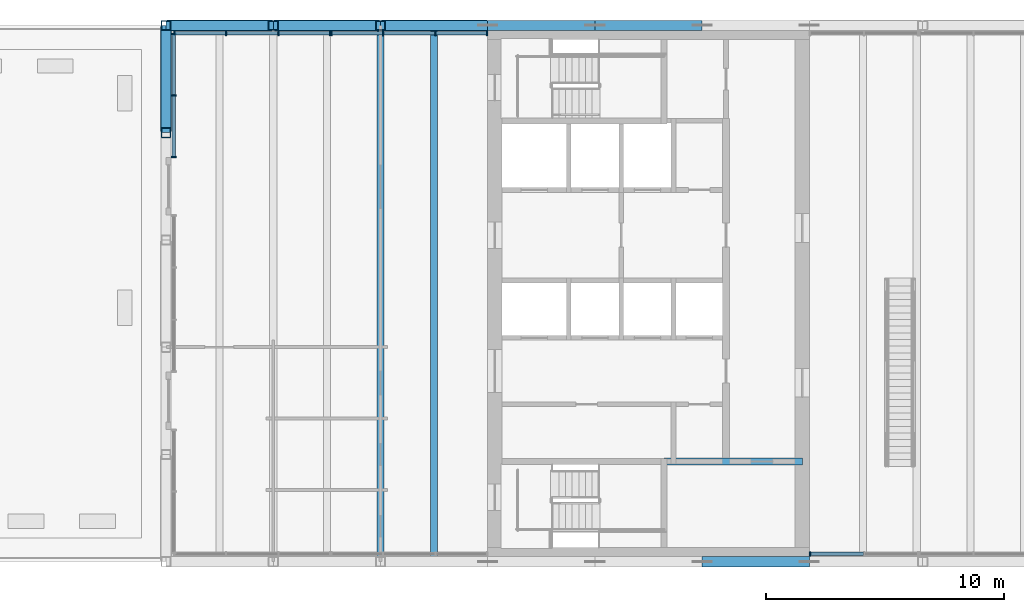
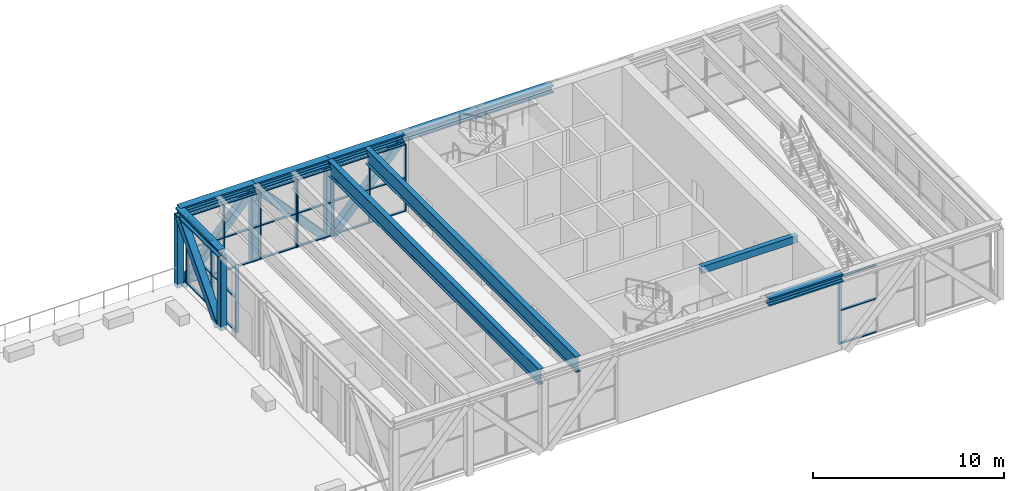
# One storey, part 2 of 13: 54 members, 3 beams, 4 elements without a shape of their own.
"""IFC4 building model written with IfcOpenShell, lengths in metres."""

from ifc_helpers import new_model, si_unit, direction, frame, origin, origin_2d, place, context, subcontext, project, spatial, rectangle, hollow_rectangle, i_section, extrude, material, material_profile, profile_set, type_object, element, aggregate, save


model = new_model("IFC4")

# Units and contexts
model_context = context("Model", 3, precision=1e-05, world=origin(), true_north=direction((0.0, 1.0)))
body_context = subcontext(model_context, "Body", "Model", "MODEL_VIEW")
ifc_project = project(units=[si_unit("LENGTHUNIT", "METRE"), si_unit("AREAUNIT", "SQUARE_METRE"), si_unit("VOLUMEUNIT", "CUBIC_METRE"), si_unit("PLANEANGLEUNIT", "RADIAN"), si_unit("MASSUNIT", "GRAM", prefix="KILO")], contexts=[model_context])

# Site, building, storey
site_placement = place(None, origin())
site = spatial("IfcSite", under=ifc_project, at=site_placement, CompositionType="ELEMENT")
building_placement = place(site_placement, origin())
building = spatial("IfcBuilding", under=site, at=building_placement, Name="Sennacour Bend Tower", CompositionType="ELEMENT")
storey_placement = place(building_placement, frame((0.0, 0.0, 345.5)))
storey = spatial("IfcBuildingStorey", under=building, at=storey_placement, Name="L79", CompositionType="ELEMENT", Elevation=345.5)

# Curtain wall, members
ifc_material_1 = material(Name="Bronze anodised aluminium curtain wall with clear glass", Category="aluminium")
curtain_wall_type = type_object("IfcCurtainWallType", Name="CURTAIN WALL LOUNGE", PredefinedType="NOTDEFINED", material=ifc_material_1)
curtain_wall_1_placement = place(storey_placement, origin())
curtain_wall_1 = element("IfcCurtainWall", 1, at=curtain_wall_1_placement, inside=storey, type_object=curtain_wall_type, Name="Sky lounge glass wall L79", PredefinedType="NOTDEFINED")
ifc_material_2 = material(Name="Aluminium 6063-T6", Category="aluminium")
ifc_material_profile_1 = material_profile(ifc_material_2, rectangle(XDim=0.199951171875, YDim=0.06005859375, at=origin_2d()), Name="Aluminium 6063-T6", Category="aluminium")
ifc_profile_set_1 = profile_set([ifc_material_profile_1], Name="Aluminium 6063-T6")
member_type_1 = type_object("IfcMemberType", Name="CW-MULLION-200X60", PredefinedType="MULLION", material=ifc_profile_set_1)
member_1_placement = place(storey_placement, frame((53.968994140625, 22.175048828125, 0.0), z_axis=(0.0, 0.0, 1.0), x_axis=(0.0, -1.0, 0.0)))
member_1 = element("IfcMember", 2, at=member_1_placement, type_object=member_type_1, Name="GW4 curtain wall mullion 1", PredefinedType="MULLION", context=body_context, shape_type="SweptSolid", body=[
    extrude(rectangle(XDim=0.199951171875, YDim=0.06005859375, at=origin_2d()), origin(), (0.0, 0.0, 1.0), 4.302001953125),
])
member_2_placement = place(storey_placement, frame((51.80322265625, 22.175048828125, 0.0), z_axis=(0.0, 0.0, 1.0), x_axis=(0.0, -1.0, 0.0)))
member_2 = element("IfcMember", 3, at=member_2_placement, type_object=member_type_1, Name="GW4 curtain wall mullion 2", PredefinedType="MULLION", context=body_context, shape_type="SweptSolid", body=[
    extrude(rectangle(XDim=0.199951171875, YDim=0.06005859375, at=origin_2d()), origin(), (0.0, 0.0, 1.0), 4.302001953125),
])
member_3_placement = place(storey_placement, frame((49.607666015625, 22.175048828125, 0.0), z_axis=(0.0, 0.0, 1.0), x_axis=(0.0, -1.0, 0.0)))
member_3 = element("IfcMember", 4, at=member_3_placement, type_object=member_type_1, Name="GW4 curtain wall mullion 3", PredefinedType="MULLION", context=body_context, shape_type="SweptSolid", body=[
    extrude(rectangle(XDim=0.199951171875, YDim=0.06005859375, at=origin_2d()), origin(), (0.0, 0.0, 1.0), 4.302001953125),
])
member_4_placement = place(storey_placement, frame((47.44189453125, 22.175048828125, 0.0), z_axis=(0.0, 0.0, 1.0), x_axis=(0.0, -1.0, 0.0)))
member_4 = element("IfcMember", 5, at=member_4_placement, type_object=member_type_1, Name="GW4 curtain wall mullion 4", PredefinedType="MULLION", context=body_context, shape_type="SweptSolid", body=[
    extrude(rectangle(XDim=0.199951171875, YDim=0.06005859375, at=origin_2d()), origin(), (0.0, 0.0, 1.0), 4.302001953125),
])

curtain_wall_2_placement = place(storey_placement, origin())
curtain_wall_2 = element("IfcCurtainWall", 6, at=curtain_wall_2_placement, inside=storey, type_object=curtain_wall_type, Name="Sky lounge glass wall L79", PredefinedType="NOTDEFINED")
member_5_placement = place(storey_placement, frame((47.382080078125, 22.175048828125, 0.0), z_axis=(0.0, 0.0, 1.0), x_axis=(0.0, -1.0, 0.0)))
member_5 = element("IfcMember", 7, at=member_5_placement, type_object=member_type_1, Name="GW4 curtain wall mullion 1", PredefinedType="MULLION", context=body_context, shape_type="SweptSolid", body=[
    extrude(rectangle(XDim=0.199951171875, YDim=0.06005859375, at=origin_2d()), origin(), (0.0, 0.0, 1.0), 4.302001953125),
])
member_6_placement = place(storey_placement, frame((45.21630859375, 22.175048828125, 0.0), z_axis=(0.0, 0.0, 1.0), x_axis=(0.0, -1.0, 0.0)))
member_6 = element("IfcMember", 8, at=member_6_placement, type_object=member_type_1, Name="GW4 curtain wall mullion 2", PredefinedType="MULLION", context=body_context, shape_type="SweptSolid", body=[
    extrude(rectangle(XDim=0.199951171875, YDim=0.06005859375, at=origin_2d()), origin(), (0.0, 0.0, 1.0), 4.302001953125),
])
member_7_placement = place(storey_placement, frame((43.020751953125, 22.175048828125, 0.0), z_axis=(0.0, 0.0, 1.0), x_axis=(0.0, -1.0, 0.0)))
member_7 = element("IfcMember", 9, at=member_7_placement, type_object=member_type_1, Name="GW4 curtain wall mullion 3", PredefinedType="MULLION", context=body_context, shape_type="SweptSolid", body=[
    extrude(rectangle(XDim=0.199951171875, YDim=0.06005859375, at=origin_2d()), origin(), (0.0, 0.0, 1.0), 4.302001953125),
])
member_8_placement = place(storey_placement, frame((40.85498046875, 22.175048828125, 0.0), z_axis=(0.0, 0.0, 1.0), x_axis=(0.0, -1.0, 0.0)))
member_8 = element("IfcMember", 10, at=member_8_placement, type_object=member_type_1, Name="GW4 curtain wall mullion 4", PredefinedType="MULLION", context=body_context, shape_type="SweptSolid", body=[
    extrude(rectangle(XDim=0.199951171875, YDim=0.06005859375, at=origin_2d()), origin(), (0.0, 0.0, 1.0), 4.302001953125),
])

curtain_wall_3_placement = place(storey_placement, origin())
curtain_wall_3 = element("IfcCurtainWall", 11, at=curtain_wall_3_placement, inside=storey, type_object=curtain_wall_type, Name="Sky lounge glass wall L79", PredefinedType="NOTDEFINED")
member_9_placement = place(storey_placement, frame((40.824951171875, 16.97998046875, 0.0), z_axis=(0.0, 0.0, 1.0), x_axis=(-1.0, 0.0, 0.0)))
member_9 = element("IfcMember", 12, at=member_9_placement, type_object=member_type_1, Name="GW4 curtain wall mullion 1", PredefinedType="MULLION", context=body_context, shape_type="SweptSolid", body=[
    extrude(rectangle(XDim=0.199951171875, YDim=0.06005859375, at=origin_2d()), origin(), (0.0, 0.0, 1.0), 4.302001953125),
])
member_10_placement = place(storey_placement, frame((40.824951171875, 19.5625, 0.0), z_axis=(0.0, 0.0, 1.0), x_axis=(-1.0, 0.0, 0.0)))
member_10 = element("IfcMember", 13, at=member_10_placement, type_object=member_type_1, Name="GW4 curtain wall mullion 2", PredefinedType="MULLION", context=body_context, shape_type="SweptSolid", body=[
    extrude(rectangle(XDim=0.199951171875, YDim=0.06005859375, at=origin_2d()), origin(), (0.0, 0.0, 1.0), 4.302001953125),
])
member_11_placement = place(storey_placement, frame((40.824951171875, 22.14501953125, 0.0), z_axis=(0.0, 0.0, 1.0), x_axis=(-1.0, 0.0, 0.0)))
member_11 = element("IfcMember", 14, at=member_11_placement, type_object=member_type_1, Name="GW4 curtain wall mullion 3", PredefinedType="MULLION", context=body_context, shape_type="SweptSolid", body=[
    extrude(rectangle(XDim=0.199951171875, YDim=0.06005859375, at=origin_2d()), origin(), (0.0, 0.0, 1.0), 4.302001953125),
])

# Curtain wall, member
curtain_wall_4_placement = place(storey_placement, origin())
curtain_wall_4 = element("IfcCurtainWall", 15, at=curtain_wall_4_placement, inside=storey, type_object=curtain_wall_type, Name="Sky lounge glass wall L79", PredefinedType="NOTDEFINED")
member_12_placement = place(storey_placement, frame((67.531005859375, 0.324951171875, 0.0), z_axis=(0.0, 0.0, 1.0), x_axis=(0.0, 1.0, 0.0)))
member_12 = element("IfcMember", 16, at=member_12_placement, type_object=member_type_1, Name="GW4 curtain wall mullion 1", PredefinedType="MULLION", context=body_context, shape_type="SweptSolid", body=[
    extrude(rectangle(XDim=0.199951171875, YDim=0.06005859375, at=origin_2d()), origin(), (0.0, 0.0, 1.0), 4.302001953125),
])

# Member
ifc_material_profile_2 = material_profile(ifc_material_2, rectangle(XDim=0.14990234375, YDim=0.06005859375, at=origin_2d()), Name="Aluminium 6063-T6", Category="aluminium")
ifc_profile_set_2 = profile_set([ifc_material_profile_2], Name="Aluminium 6063-T6")
member_type_2 = type_object("IfcMemberType", Name="CW-TRANSOM-150X60", PredefinedType="USERDEFINED", material=ifc_profile_set_2)
member_13_placement = place(storey_placement, frame((53.93896484375, 22.175048828125, 0.030029296875), z_axis=(-1.0, 0.0, 0.0), x_axis=(0.0, -1.0, 0.0)))
member_13 = element("IfcMember", 17, at=member_13_placement, type_object=member_type_2, Name="GW4 curtain wall transom 1.1", ObjectType="TRANSOM", PredefinedType="USERDEFINED", context=body_context, shape_type="SweptSolid", body=[
    extrude(rectangle(XDim=0.14990234375, YDim=0.06005859375, at=origin_2d()), origin(), (0.0, 0.0, 1.0), 2.105712890625),
])

member_14_placement = place(storey_placement, frame((53.93896484375, 22.175048828125, 2.15087890625), z_axis=(-1.0, 0.0, 0.0), x_axis=(0.0, -1.0, 0.0)))
member_14 = element("IfcMember", 18, at=member_14_placement, type_object=member_type_2, Name="GW4 curtain wall transom 1.2", ObjectType="TRANSOM", PredefinedType="USERDEFINED", context=body_context, shape_type="SweptSolid", body=[
    extrude(rectangle(XDim=0.14990234375, YDim=0.06005859375, at=origin_2d()), origin(), (0.0, 0.0, 1.0), 2.105712890625),
])

member_15_placement = place(storey_placement, frame((53.93896484375, 22.175048828125, 4.27197265625), z_axis=(-1.0, 0.0, 0.0), x_axis=(0.0, -1.0, 0.0)))
member_15 = element("IfcMember", 19, at=member_15_placement, type_object=member_type_2, Name="GW4 curtain wall transom 1.3", ObjectType="TRANSOM", PredefinedType="USERDEFINED", context=body_context, shape_type="SweptSolid", body=[
    extrude(rectangle(XDim=0.14990234375, YDim=0.06005859375, at=origin_2d()), origin(), (0.0, 0.0, 1.0), 2.105712890625),
])

member_16_placement = place(storey_placement, frame((51.7734375, 22.175048828125, 0.030029296875), z_axis=(-1.0, 0.0, 0.0), x_axis=(0.0, -1.0, 0.0)))
member_16 = element("IfcMember", 20, at=member_16_placement, type_object=member_type_2, Name="GW4 curtain wall transom 2.1", ObjectType="TRANSOM", PredefinedType="USERDEFINED", context=body_context, shape_type="SweptSolid", body=[
    extrude(rectangle(XDim=0.14990234375, YDim=0.06005859375, at=origin_2d()), origin(), (0.0, 0.0, 1.0), 2.1357421875),
])

member_17_placement = place(storey_placement, frame((51.7734375, 22.175048828125, 2.15087890625), z_axis=(-1.0, 0.0, 0.0), x_axis=(0.0, -1.0, 0.0)))
member_17 = element("IfcMember", 21, at=member_17_placement, type_object=member_type_2, Name="GW4 curtain wall transom 2.2", ObjectType="TRANSOM", PredefinedType="USERDEFINED", context=body_context, shape_type="SweptSolid", body=[
    extrude(rectangle(XDim=0.14990234375, YDim=0.06005859375, at=origin_2d()), origin(), (0.0, 0.0, 1.0), 2.1357421875),
])

member_18_placement = place(storey_placement, frame((51.7734375, 22.175048828125, 4.27197265625), z_axis=(-1.0, 0.0, 0.0), x_axis=(0.0, -1.0, 0.0)))
member_18 = element("IfcMember", 22, at=member_18_placement, type_object=member_type_2, Name="GW4 curtain wall transom 2.3", ObjectType="TRANSOM", PredefinedType="USERDEFINED", context=body_context, shape_type="SweptSolid", body=[
    extrude(rectangle(XDim=0.14990234375, YDim=0.06005859375, at=origin_2d()), origin(), (0.0, 0.0, 1.0), 2.1357421875),
])

member_19_placement = place(storey_placement, frame((49.57763671875, 22.175048828125, 0.030029296875), z_axis=(-1.0, 0.0, 0.0), x_axis=(0.0, -1.0, 0.0)))
member_19 = element("IfcMember", 23, at=member_19_placement, type_object=member_type_2, Name="GW4 curtain wall transom 3.1", ObjectType="TRANSOM", PredefinedType="USERDEFINED", context=body_context, shape_type="SweptSolid", body=[
    extrude(rectangle(XDim=0.14990234375, YDim=0.06005859375, at=origin_2d()), origin(), (0.0, 0.0, 1.0), 2.105712890625),
])

member_20_placement = place(storey_placement, frame((49.57763671875, 22.175048828125, 2.15087890625), z_axis=(-1.0, 0.0, 0.0), x_axis=(0.0, -1.0, 0.0)))
member_20 = element("IfcMember", 24, at=member_20_placement, type_object=member_type_2, Name="GW4 curtain wall transom 3.2", ObjectType="TRANSOM", PredefinedType="USERDEFINED", context=body_context, shape_type="SweptSolid", body=[
    extrude(rectangle(XDim=0.14990234375, YDim=0.06005859375, at=origin_2d()), origin(), (0.0, 0.0, 1.0), 2.105712890625),
])

member_21_placement = place(storey_placement, frame((49.57763671875, 22.175048828125, 4.27197265625), z_axis=(-1.0, 0.0, 0.0), x_axis=(0.0, -1.0, 0.0)))
member_21 = element("IfcMember", 25, at=member_21_placement, type_object=member_type_2, Name="GW4 curtain wall transom 3.3", ObjectType="TRANSOM", PredefinedType="USERDEFINED", context=body_context, shape_type="SweptSolid", body=[
    extrude(rectangle(XDim=0.14990234375, YDim=0.06005859375, at=origin_2d()), origin(), (0.0, 0.0, 1.0), 2.105712890625),
])

aggregate(curtain_wall_1, [member_1, member_2, member_3, member_4, member_13, member_14, member_15, member_16, member_17, member_18, member_19, member_20, member_21])

member_22_placement = place(storey_placement, frame((47.35205078125, 22.175048828125, 0.030029296875), z_axis=(-1.0, 0.0, 0.0), x_axis=(0.0, -1.0, 0.0)))
member_22 = element("IfcMember", 26, at=member_22_placement, type_object=member_type_2, Name="GW4 curtain wall transom 1.1", ObjectType="TRANSOM", PredefinedType="USERDEFINED", context=body_context, shape_type="SweptSolid", body=[
    extrude(rectangle(XDim=0.14990234375, YDim=0.06005859375, at=origin_2d()), origin(), (0.0, 0.0, 1.0), 2.105712890625),
])

member_23_placement = place(storey_placement, frame((47.35205078125, 22.175048828125, 2.15087890625), z_axis=(-1.0, 0.0, 0.0), x_axis=(0.0, -1.0, 0.0)))
member_23 = element("IfcMember", 27, at=member_23_placement, type_object=member_type_2, Name="GW4 curtain wall transom 1.2", ObjectType="TRANSOM", PredefinedType="USERDEFINED", context=body_context, shape_type="SweptSolid", body=[
    extrude(rectangle(XDim=0.14990234375, YDim=0.06005859375, at=origin_2d()), origin(), (0.0, 0.0, 1.0), 2.105712890625),
])

member_24_placement = place(storey_placement, frame((47.35205078125, 22.175048828125, 4.27197265625), z_axis=(-1.0, 0.0, 0.0), x_axis=(0.0, -1.0, 0.0)))
member_24 = element("IfcMember", 28, at=member_24_placement, type_object=member_type_2, Name="GW4 curtain wall transom 1.3", ObjectType="TRANSOM", PredefinedType="USERDEFINED", context=body_context, shape_type="SweptSolid", body=[
    extrude(rectangle(XDim=0.14990234375, YDim=0.06005859375, at=origin_2d()), origin(), (0.0, 0.0, 1.0), 2.105712890625),
])

member_25_placement = place(storey_placement, frame((45.186279296875, 22.175048828125, 0.030029296875), z_axis=(-1.0, 0.0, 0.0), x_axis=(0.0, -1.0, 0.0)))
member_25 = element("IfcMember", 29, at=member_25_placement, type_object=member_type_2, Name="GW4 curtain wall transom 2.1", ObjectType="TRANSOM", PredefinedType="USERDEFINED", context=body_context, shape_type="SweptSolid", body=[
    extrude(rectangle(XDim=0.14990234375, YDim=0.06005859375, at=origin_2d()), origin(), (0.0, 0.0, 1.0), 2.135498046875),
])

member_26_placement = place(storey_placement, frame((45.186279296875, 22.175048828125, 2.15087890625), z_axis=(-1.0, 0.0, 0.0), x_axis=(0.0, -1.0, 0.0)))
member_26 = element("IfcMember", 30, at=member_26_placement, type_object=member_type_2, Name="GW4 curtain wall transom 2.2", ObjectType="TRANSOM", PredefinedType="USERDEFINED", context=body_context, shape_type="SweptSolid", body=[
    extrude(rectangle(XDim=0.14990234375, YDim=0.06005859375, at=origin_2d()), origin(), (0.0, 0.0, 1.0), 2.135498046875),
])

member_27_placement = place(storey_placement, frame((45.186279296875, 22.175048828125, 4.27197265625), z_axis=(-1.0, 0.0, 0.0), x_axis=(0.0, -1.0, 0.0)))
member_27 = element("IfcMember", 31, at=member_27_placement, type_object=member_type_2, Name="GW4 curtain wall transom 2.3", ObjectType="TRANSOM", PredefinedType="USERDEFINED", context=body_context, shape_type="SweptSolid", body=[
    extrude(rectangle(XDim=0.14990234375, YDim=0.06005859375, at=origin_2d()), origin(), (0.0, 0.0, 1.0), 2.135498046875),
])

member_28_placement = place(storey_placement, frame((42.99072265625, 22.175048828125, 0.030029296875), z_axis=(-1.0, 0.0, 0.0), x_axis=(0.0, -1.0, 0.0)))
member_28 = element("IfcMember", 32, at=member_28_placement, type_object=member_type_2, Name="GW4 curtain wall transom 3.1", ObjectType="TRANSOM", PredefinedType="USERDEFINED", context=body_context, shape_type="SweptSolid", body=[
    extrude(rectangle(XDim=0.14990234375, YDim=0.06005859375, at=origin_2d()), origin(), (0.0, 0.0, 1.0), 2.105712890625),
])

member_29_placement = place(storey_placement, frame((42.99072265625, 22.175048828125, 2.15087890625), z_axis=(-1.0, 0.0, 0.0), x_axis=(0.0, -1.0, 0.0)))
member_29 = element("IfcMember", 33, at=member_29_placement, type_object=member_type_2, Name="GW4 curtain wall transom 3.2", ObjectType="TRANSOM", PredefinedType="USERDEFINED", context=body_context, shape_type="SweptSolid", body=[
    extrude(rectangle(XDim=0.14990234375, YDim=0.06005859375, at=origin_2d()), origin(), (0.0, 0.0, 1.0), 2.105712890625),
])

member_30_placement = place(storey_placement, frame((42.99072265625, 22.175048828125, 4.27197265625), z_axis=(-1.0, 0.0, 0.0), x_axis=(0.0, -1.0, 0.0)))
member_30 = element("IfcMember", 34, at=member_30_placement, type_object=member_type_2, Name="GW4 curtain wall transom 3.3", ObjectType="TRANSOM", PredefinedType="USERDEFINED", context=body_context, shape_type="SweptSolid", body=[
    extrude(rectangle(XDim=0.14990234375, YDim=0.06005859375, at=origin_2d()), origin(), (0.0, 0.0, 1.0), 2.105712890625),
])

aggregate(curtain_wall_2, [member_5, member_6, member_7, member_8, member_22, member_23, member_24, member_25, member_26, member_27, member_28, member_29, member_30])

member_31_placement = place(storey_placement, frame((40.824951171875, 17.010009765625, 0.030029296875), z_axis=(0.0, 1.0, 0.0), x_axis=(-1.0, 0.0, 0.0)))
member_31 = element("IfcMember", 35, at=member_31_placement, type_object=member_type_2, Name="GW4 curtain wall transom 1.1", ObjectType="TRANSOM", PredefinedType="USERDEFINED", context=body_context, shape_type="SweptSolid", body=[
    extrude(rectangle(XDim=0.14990234375, YDim=0.06005859375, at=origin_2d()), origin(), (0.0, 0.0, 1.0), 2.5224609375),
])

member_32_placement = place(storey_placement, frame((40.824951171875, 17.010009765625, 2.15087890625), z_axis=(0.0, 1.0, 0.0), x_axis=(-1.0, 0.0, 0.0)))
member_32 = element("IfcMember", 36, at=member_32_placement, type_object=member_type_2, Name="GW4 curtain wall transom 1.2", ObjectType="TRANSOM", PredefinedType="USERDEFINED", context=body_context, shape_type="SweptSolid", body=[
    extrude(rectangle(XDim=0.14990234375, YDim=0.06005859375, at=origin_2d()), origin(), (0.0, 0.0, 1.0), 2.5224609375),
])

member_33_placement = place(storey_placement, frame((40.824951171875, 17.010009765625, 4.27197265625), z_axis=(0.0, 1.0, 0.0), x_axis=(-1.0, 0.0, 0.0)))
member_33 = element("IfcMember", 37, at=member_33_placement, type_object=member_type_2, Name="GW4 curtain wall transom 1.3", ObjectType="TRANSOM", PredefinedType="USERDEFINED", context=body_context, shape_type="SweptSolid", body=[
    extrude(rectangle(XDim=0.14990234375, YDim=0.06005859375, at=origin_2d()), origin(), (0.0, 0.0, 1.0), 2.5224609375),
])

member_34_placement = place(storey_placement, frame((40.824951171875, 19.592529296875, 0.030029296875), z_axis=(0.0, 1.0, 0.0), x_axis=(-1.0, 0.0, 0.0)))
member_34 = element("IfcMember", 38, at=member_34_placement, type_object=member_type_2, Name="GW4 curtain wall transom 2.1", ObjectType="TRANSOM", PredefinedType="USERDEFINED", context=body_context, shape_type="SweptSolid", body=[
    extrude(rectangle(XDim=0.14990234375, YDim=0.06005859375, at=origin_2d()), origin(), (0.0, 0.0, 1.0), 2.5224609375),
])

member_35_placement = place(storey_placement, frame((40.824951171875, 19.592529296875, 2.15087890625), z_axis=(0.0, 1.0, 0.0), x_axis=(-1.0, 0.0, 0.0)))
member_35 = element("IfcMember", 39, at=member_35_placement, type_object=member_type_2, Name="GW4 curtain wall transom 2.2", ObjectType="TRANSOM", PredefinedType="USERDEFINED", context=body_context, shape_type="SweptSolid", body=[
    extrude(rectangle(XDim=0.14990234375, YDim=0.06005859375, at=origin_2d()), origin(), (0.0, 0.0, 1.0), 2.5224609375),
])

member_36_placement = place(storey_placement, frame((40.824951171875, 19.592529296875, 4.27197265625), z_axis=(0.0, 1.0, 0.0), x_axis=(-1.0, 0.0, 0.0)))
member_36 = element("IfcMember", 40, at=member_36_placement, type_object=member_type_2, Name="GW4 curtain wall transom 2.3", ObjectType="TRANSOM", PredefinedType="USERDEFINED", context=body_context, shape_type="SweptSolid", body=[
    extrude(rectangle(XDim=0.14990234375, YDim=0.06005859375, at=origin_2d()), origin(), (0.0, 0.0, 1.0), 2.5224609375),
])

aggregate(curtain_wall_3, [member_9, member_10, member_11, member_31, member_32, member_33, member_34, member_35, member_36])

member_37_placement = place(storey_placement, frame((67.56103515625, 0.324951171875, 0.030029296875), z_axis=(1.0, 0.0, 0.0), x_axis=(0.0, 1.0, 0.0)))
member_37 = element("IfcMember", 41, at=member_37_placement, type_object=member_type_2, Name="GW4 curtain wall transom 1.1", ObjectType="TRANSOM", PredefinedType="USERDEFINED", context=body_context, shape_type="SweptSolid", body=[
    extrude(rectangle(XDim=0.14990234375, YDim=0.06005859375, at=origin_2d()), origin(), (0.0, 0.0, 1.0), 2.203369140625),
])

member_38_placement = place(storey_placement, frame((67.56103515625, 0.324951171875, 2.15087890625), z_axis=(1.0, 0.0, 0.0), x_axis=(0.0, 1.0, 0.0)))
member_38 = element("IfcMember", 42, at=member_38_placement, type_object=member_type_2, Name="GW4 curtain wall transom 1.2", ObjectType="TRANSOM", PredefinedType="USERDEFINED", context=body_context, shape_type="SweptSolid", body=[
    extrude(rectangle(XDim=0.14990234375, YDim=0.06005859375, at=origin_2d()), origin(), (0.0, 0.0, 1.0), 2.203369140625),
])

member_39_placement = place(storey_placement, frame((67.56103515625, 0.324951171875, 4.27197265625), z_axis=(1.0, 0.0, 0.0), x_axis=(0.0, 1.0, 0.0)))
member_39 = element("IfcMember", 43, at=member_39_placement, type_object=member_type_2, Name="GW4 curtain wall transom 1.3", ObjectType="TRANSOM", PredefinedType="USERDEFINED", context=body_context, shape_type="SweptSolid", body=[
    extrude(rectangle(XDim=0.14990234375, YDim=0.06005859375, at=origin_2d()), origin(), (0.0, 0.0, 1.0), 2.203369140625),
])

aggregate(curtain_wall_4, [member_12, member_37, member_38, member_39])

# Beams
ifc_material_3 = material(Name="Steel ASTM A992 Grade 50", Category="steel")
ifc_material_profile_3 = material_profile(ifc_material_3, i_section(OverallWidth=0.300048828125, OverallDepth=0.990966796875, WebThickness=0.0166015625, FlangeThickness=0.030517578125, FilletRadius=0.030029296875, at=origin_2d()), Name="Steel ASTM A992 Grade 50", Category="steel")
ifc_profile_set_3 = profile_set([ifc_material_profile_3], Name="Steel ASTM A992 Grade 50")
beam_type_1 = type_object("IfcBeamType", Name="Floor beam W1000X272", PredefinedType="BEAM", material=ifc_profile_set_3)
for number, where, z_axis, x_axis, name in (
    (44, (49.5, 0.216064453125, 4.304443359375), (0.0, 1.0, 0.0), (-1.0, 0.0, 0.0), "Floor beam FBM3 L80-004"),
    (45, (51.75, 0.216064453125, 4.304443359375), (0.0, 1.0, 0.0), (-1.0, 0.0, 0.0), "Floor beam FBM3 L80-005"),
):
    element("IfcBeam", number, at=place(storey_placement, frame(where, z_axis=z_axis, x_axis=x_axis)), inside=storey, type_object=beam_type_1, Name=name, PredefinedType="BEAM", context=body_context, shape_type="SweptSolid", body=[
        extrude(i_section(OverallWidth=0.300048828125, OverallDepth=0.990966796875, WebThickness=0.0166015625, FlangeThickness=0.030517578125, FilletRadius=0.030029296875, at=origin_2d()), origin(), (0.0, 0.0, 1.0), 22.06787109375),
    ])

# Members
ifc_material_profile_4 = material_profile(ifc_material_3, i_section(OverallWidth=0.431884765625, OverallDepth=0.498046875, WebThickness=0.0556640625, FlangeThickness=0.0888671875, FilletRadius=0.01513671875, at=origin_2d()), Name="Steel ASTM A992 Grade 50", Category="steel")
ifc_profile_set_4 = profile_set([ifc_material_profile_4], Name="Steel ASTM A992 Grade 50")
member_type_3 = type_object("IfcMemberType", Name="Lounge truss chord W360X744", PredefinedType="CHORD", material=ifc_profile_set_4)
for number, where, z_axis, x_axis, name in (
    (46, (63.0, 0.0, 4.551025390625), (1.0, 0.0, 0.0), (0.0, 1.0, 0.0), "Lounge truss chord LTC L80-006"),
    (47, (40.5, 22.5, 4.551025390625), (1.0, 0.0, 0.0), (0.0, 1.0, 0.0), "Lounge truss chord LTC L80-009"),
    (48, (45.0, 22.5, 4.551025390625), (1.0, 0.0, 0.0), (0.0, 1.0, 0.0), "Lounge truss chord LTC L80-010"),
    (49, (49.5, 22.5, 4.551025390625), (1.0, 0.0, 0.0), (0.0, 1.0, 0.0), "Lounge truss chord LTC L80-011"),
    (50, (54.0, 22.5, 4.551025390625), (1.0, 0.0, 0.0), (0.0, 1.0, 0.0), "Lounge truss chord LTC L80-012"),
    (51, (58.5, 22.5, 4.551025390625), (1.0, 0.0, 0.0), (0.0, 1.0, 0.0), "Lounge truss chord LTC L80-013"),
    (52, (40.5, 18.0, 4.551025390625), (0.0, 1.0, 0.0), (-1.0, 0.0, 0.0), "Lounge truss chord LTC L80-021"),
):
    element("IfcMember", number, at=place(storey_placement, frame(where, z_axis=z_axis, x_axis=x_axis)), inside=storey, type_object=member_type_3, Name=name, PredefinedType="CHORD", context=body_context, shape_type="SweptSolid", body=[
        extrude(i_section(OverallWidth=0.431884765625, OverallDepth=0.498046875, WebThickness=0.0556640625, FlangeThickness=0.0888671875, FilletRadius=0.01513671875, at=origin_2d()), origin(), (0.0, 0.0, 1.0), 4.5),
    ])
ifc_material_4 = material(Name="Steel ASTM A500 Grade C", Category="steel")
ifc_material_profile_5 = material_profile(ifc_material_4, hollow_rectangle(XDim=0.457275390625, YDim=0.457275390625, WallThickness=0.015869140625, InnerFilletRadius=0.015869140625, OuterFilletRadius=0.03173828125, at=origin_2d()), Name="Steel ASTM A500 Grade C", Category="steel")
ifc_profile_set_5 = profile_set([ifc_material_profile_5], Name="Steel ASTM A500 Grade C")
member_type_4 = type_object("IfcMemberType", Name="Lounge truss diagonal 457", PredefinedType="BRACE", material=ifc_profile_set_5)
member_40_placement = place(storey_placement, frame((40.703125, 22.5, -0.25), z_axis=(0.668689278982, 0.0, 0.743541961273), x_axis=(0.0, 1.0, 0.0)))
element("IfcMember", 53, at=member_40_placement, inside=storey, type_object=member_type_4, Name="Lounge truss diagonal LD L79-006", PredefinedType="BRACE", context=body_context, shape_type="SweptSolid", body=[
    extrude(hollow_rectangle(XDim=0.457275390625, YDim=0.457275390625, WallThickness=0.015869140625, InnerFilletRadius=0.015869140625, OuterFilletRadius=0.03173828125, at=origin_2d()), origin(), (0.0, 0.0, 1.0), 6.1220703125),
])
for number, where, z_axis, x_axis, name in (
    (54, (45.203125, 22.5, 4.302001953125), (0.672768645858, 0.0, -0.739852923999), (0.0, 1.0, 0.0), "Lounge truss diagonal LD L79-007"),
    (55, (49.703125, 22.5, -0.199951171875), (0.672768645858, 0.0, 0.739852923999), (0.0, 1.0, 0.0), "Lounge truss diagonal LD L79-008"),
):
    element("IfcMember", number, at=place(storey_placement, frame(where, z_axis=z_axis, x_axis=x_axis)), inside=storey, type_object=member_type_4, Name=name, PredefinedType="BRACE", context=body_context, shape_type="SweptSolid", body=[
        extrude(hollow_rectangle(XDim=0.457275390625, YDim=0.457275390625, WallThickness=0.015869140625, InnerFilletRadius=0.015869140625, OuterFilletRadius=0.03173828125, at=origin_2d()), origin(), (0.0, 0.0, 1.0), 6.0849609375),
    ])
member_41_placement = place(storey_placement, frame((40.5, 18.203125, -0.25), z_axis=(0.0, 0.668689278982, 0.743541961273), x_axis=(-1.0, 0.0, 0.0)))
element("IfcMember", 56, at=member_41_placement, inside=storey, type_object=member_type_4, Name="Lounge truss diagonal LD L79-013", PredefinedType="BRACE", context=body_context, shape_type="SweptSolid", body=[
    extrude(hollow_rectangle(XDim=0.457275390625, YDim=0.457275390625, WallThickness=0.015869140625, InnerFilletRadius=0.015869140625, OuterFilletRadius=0.03173828125, at=origin_2d()), origin(), (0.0, 0.0, 1.0), 6.1220703125),
])
ifc_material_profile_6 = material_profile(ifc_material_4, hollow_rectangle(XDim=0.406494140625, YDim=0.406494140625, WallThickness=0.01904296875, InnerFilletRadius=0.01904296875, OuterFilletRadius=0.0380859375, at=origin_2d()), Name="Steel ASTM A500 Grade C", Category="steel")
ifc_profile_set_6 = profile_set([ifc_material_profile_6], Name="Steel ASTM A500 Grade C")
member_type_5 = type_object("IfcMemberType", Name="Lounge truss post 406", PredefinedType="POST", material=ifc_profile_set_6)
member_42_placement = place(storey_placement, frame((40.5, 22.5, -0.25), z_axis=(0.0, 0.0, 1.0), x_axis=(1.0, 0.0, 0.0)))
element("IfcMember", 57, at=member_42_placement, inside=storey, type_object=member_type_5, Name="Lounge truss post LP L79-006", PredefinedType="POST", context=body_context, shape_type="SweptSolid", body=[
    extrude(hollow_rectangle(XDim=0.406494140625, YDim=0.406494140625, WallThickness=0.01904296875, InnerFilletRadius=0.01904296875, OuterFilletRadius=0.0380859375, at=origin_2d()), origin(), (0.0, 0.0, 1.0), 4.552001953125),
])
for number, where, z_axis, x_axis, name in (
    (58, (45.0, 22.5, -0.199951171875), (0.0, 0.0, 1.0), (1.0, 0.0, 0.0), "Lounge truss post LP L79-007"),
    (59, (49.5, 22.5, -0.199951171875), (0.0, 0.0, 1.0), (1.0, 0.0, 0.0), "Lounge truss post LP L79-008"),
):
    element("IfcMember", number, at=place(storey_placement, frame(where, z_axis=z_axis, x_axis=x_axis)), inside=storey, type_object=member_type_5, Name=name, PredefinedType="POST", context=body_context, shape_type="SweptSolid", body=[
        extrude(hollow_rectangle(XDim=0.406494140625, YDim=0.406494140625, WallThickness=0.01904296875, InnerFilletRadius=0.01904296875, OuterFilletRadius=0.0380859375, at=origin_2d()), origin(), (0.0, 0.0, 1.0), 4.501953125),
    ])
member_43_placement = place(storey_placement, frame((40.5, 18.0, -0.25), z_axis=(0.0, 0.0, 1.0), x_axis=(1.0, 0.0, 0.0)))
element("IfcMember", 60, at=member_43_placement, inside=storey, type_object=member_type_5, Name="Lounge truss post LP L79-014", PredefinedType="POST", context=body_context, shape_type="SweptSolid", body=[
    extrude(hollow_rectangle(XDim=0.406494140625, YDim=0.406494140625, WallThickness=0.01904296875, InnerFilletRadius=0.01904296875, OuterFilletRadius=0.0380859375, at=origin_2d()), origin(), (0.0, 0.0, 1.0), 4.552001953125),
])

# Beam
ifc_material_5 = material(Name="Concrete C40/50", Category="concrete")
ifc_material_profile_7 = material_profile(ifc_material_5, rectangle(XDim=0.300048828125, YDim=0.449951171875, at=origin_2d()), Name="Concrete C40/50", Category="concrete")
ifc_profile_set_7 = profile_set([ifc_material_profile_7], Name="Concrete C40/50")
beam_type_2 = type_object("IfcBeamType", Name="RCB-TRANSFER-300X450", PredefinedType="BEAM", material=ifc_profile_set_7)
beam_placement = place(storey_placement, frame((61.39990234375, 4.199951171875, 4.574951171875), z_axis=(1.0, 0.0, 0.0), x_axis=(0.0, 1.0, 0.0)))
element("IfcBeam", 61, at=beam_placement, inside=storey, type_object=beam_type_2, Name="L79 SA3 stair wall transfer beam", PredefinedType="BEAM", context=body_context, shape_type="SweptSolid", body=[
    extrude(rectangle(XDim=0.300048828125, YDim=0.449951171875, at=origin_2d()), origin(), (0.0, 0.0, 1.0), 5.800048828125),
])

save(model, "model.ifc")
